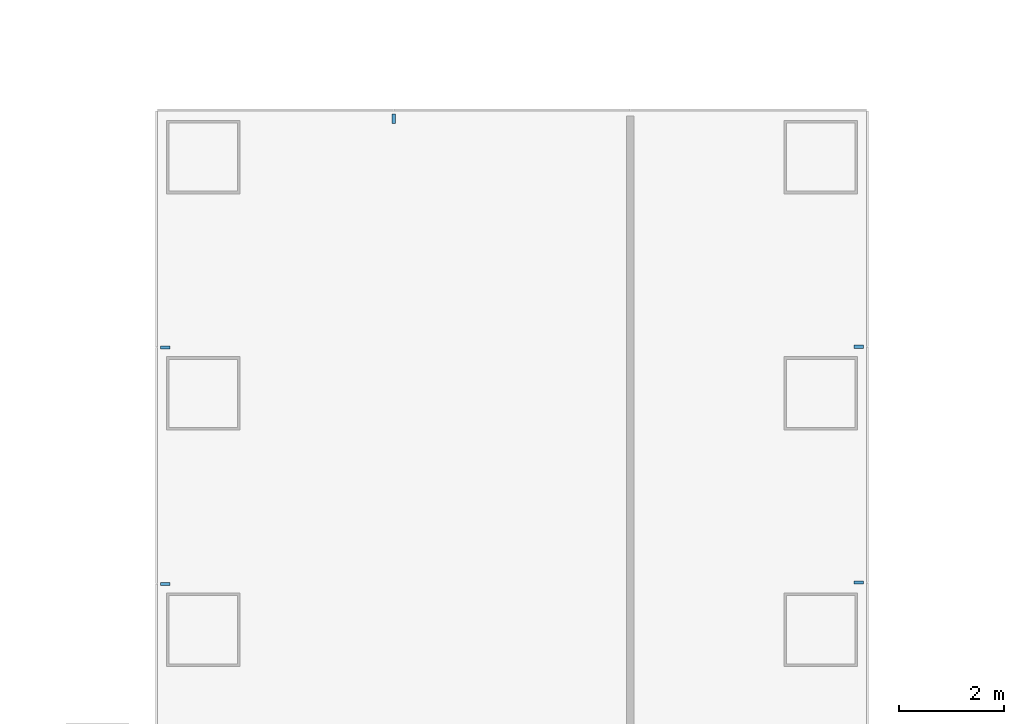
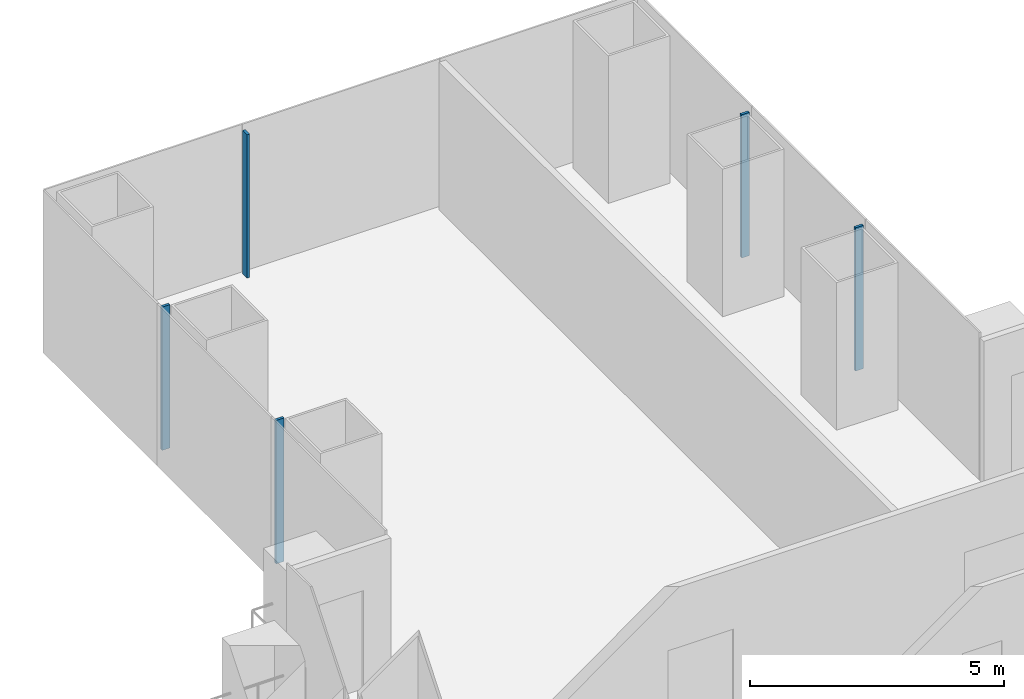
# One storey, part 5 of 21: 5 members, 3 elements without a shape of their own.
"""IFC4 building model written with IfcOpenShell, lengths in metres."""

from ifc_helpers import new_model, si_unit, direction, frame, origin, origin_2d, place, context, subcontext, project, spatial, rectangle, extrude, material, layer, layer_set, material_profile, profile_set, type_object, element, aggregate, save


model = new_model("IFC4")

# Units and contexts
model_context = context("Model", 3, precision=1e-05, world=origin(), true_north=direction((0.0, 1.0)))
body_context = subcontext(model_context, "Body", "Model", "MODEL_VIEW")
ifc_project = project(units=[si_unit("LENGTHUNIT", "METRE"), si_unit("AREAUNIT", "SQUARE_METRE"), si_unit("VOLUMEUNIT", "CUBIC_METRE"), si_unit("PLANEANGLEUNIT", "RADIAN"), si_unit("MASSUNIT", "GRAM", prefix="KILO")], contexts=[model_context])

# Site, building, storey
site_placement = place(None, origin())
site = spatial("IfcSite", under=ifc_project, at=site_placement, CompositionType="ELEMENT")
building_placement = place(site_placement, origin())
building = spatial("IfcBuilding", under=site, at=building_placement, Name="Shamsa Quay Exchange Towers", CompositionType="ELEMENT")
storey_placement = place(building_placement, frame((0.0, 0.0, 45.89990234375)))
storey = spatial("IfcBuildingStorey", under=building, at=storey_placement, Name="L09", CompositionType="ELEMENT", Elevation=45.89990234375)

# Curtain wall, members
ifc_material = material(Name="Aluminium EN AW-6063 T6, black anodised", Category="aluminium")
ifc_layer = layer(ifc_material, 0.280029296875)
ifc_layer_set = layer_set([ifc_layer], Name="CW-1 UNITISED VISION GLASS")
curtain_wall_type = type_object("IfcCurtainWallType", Name="CW-1 UNITISED VISION GLASS", PredefinedType="NOTDEFINED", material=ifc_layer_set)
curtain_wall_1_placement = place(storey_placement, origin())
curtain_wall_1 = element("IfcCurtainWall", 1, at=curtain_wall_1_placement, inside=storey, type_object=curtain_wall_type, Name="CW1 T1-FLK-V+E L09", PredefinedType="NOTDEFINED")
ifc_material_profile = material_profile(ifc_material, rectangle(XDim=0.179931640625, YDim=0.06005859375, at=origin_2d()), Name="MU60x180")
ifc_profile_set = profile_set([ifc_material_profile], Name="Aluminium EN AW-6063 T6, black anodised")
member_type = type_object("IfcMemberType", Name="CW1 MULLION 60x180", PredefinedType="MULLION", material=ifc_profile_set)
member_1_placement = place(storey_placement, frame((-27.14990234375, 15.775390625, 0.0), z_axis=(0.0, 0.0, 1.0), x_axis=(-1.0, 0.0, 0.0)))
member_1 = element("IfcMember", 2, at=member_1_placement, type_object=member_type, Name="CW1 mullion", PredefinedType="MULLION", context=body_context, shape_type="SweptSolid", body=[
    extrude(rectangle(XDim=0.179931640625, YDim=0.06005859375, at=origin_2d()), origin(), (0.0, 0.0, 1.0), 3.4501953125),
])
member_2_placement = place(storey_placement, frame((-27.14990234375, 20.2626953125, 0.0), z_axis=(0.0, 0.0, 1.0), x_axis=(-1.0, 0.0, 0.0)))
member_2 = element("IfcMember", 3, at=member_2_placement, type_object=member_type, Name="CW1 mullion", PredefinedType="MULLION", context=body_context, shape_type="SweptSolid", body=[
    extrude(rectangle(XDim=0.179931640625, YDim=0.06005859375, at=origin_2d()), origin(), (0.0, 0.0, 1.0), 3.4501953125),
])
aggregate(curtain_wall_1, [member_1, member_2])

# Curtain wall, member
curtain_wall_2_placement = place(storey_placement, origin())
curtain_wall_2 = element("IfcCurtainWall", 4, at=curtain_wall_2_placement, inside=storey, type_object=curtain_wall_type, Name="CW1 T1-END-V+ L09", PredefinedType="NOTDEFINED")
member_3_placement = place(storey_placement, frame((-36.0, 24.60009765625, 0.0), z_axis=(0.0, 0.0, 1.0), x_axis=(0.0, -1.0, 0.0)))
member_3 = element("IfcMember", 5, at=member_3_placement, type_object=member_type, Name="CW1 mullion", PredefinedType="MULLION", context=body_context, shape_type="SweptSolid", body=[
    extrude(rectangle(XDim=0.179931640625, YDim=0.06005859375, at=origin_2d()), origin(), (0.0, 0.0, 1.0), 3.4501953125),
])
aggregate(curtain_wall_2, [member_3])

# Curtain wall, members
curtain_wall_3_placement = place(storey_placement, origin())
curtain_wall_3 = element("IfcCurtainWall", 6, at=curtain_wall_3_placement, inside=storey, type_object=curtain_wall_type, Name="CW1 T1-FLK-V+W L09", PredefinedType="NOTDEFINED")
member_4_placement = place(storey_placement, frame((-40.35009765625, 20.25, 0.0)))
member_4 = element("IfcMember", 7, at=member_4_placement, type_object=member_type, Name="CW1 mullion", PredefinedType="MULLION", context=body_context, shape_type="SweptSolid", body=[
    extrude(rectangle(XDim=0.179931640625, YDim=0.06005859375, at=origin_2d()), origin(), (0.0, 0.0, 1.0), 3.4501953125),
])
member_5_placement = place(storey_placement, frame((-40.35009765625, 15.75, 0.0)))
member_5 = element("IfcMember", 8, at=member_5_placement, type_object=member_type, Name="CW1 mullion", PredefinedType="MULLION", context=body_context, shape_type="SweptSolid", body=[
    extrude(rectangle(XDim=0.179931640625, YDim=0.06005859375, at=origin_2d()), origin(), (0.0, 0.0, 1.0), 3.4501953125),
])
aggregate(curtain_wall_3, [member_4, member_5])

save(model, "model.ifc")
